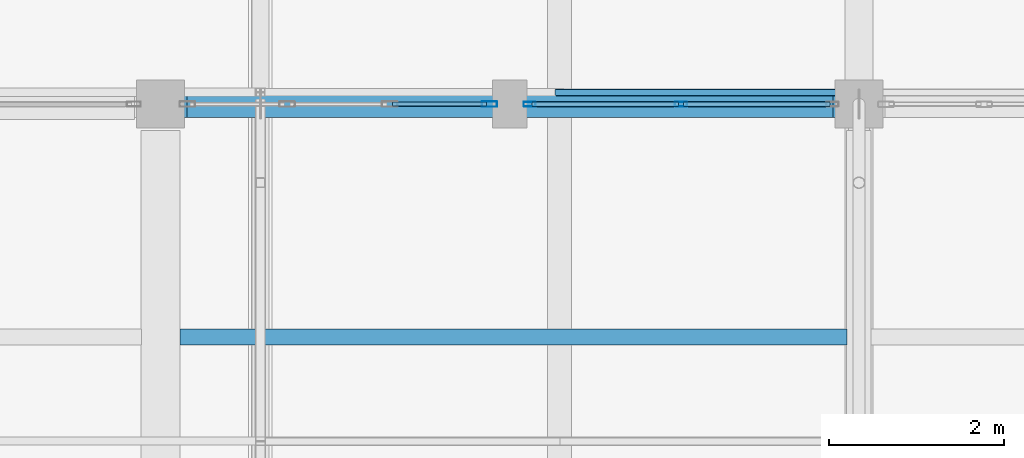
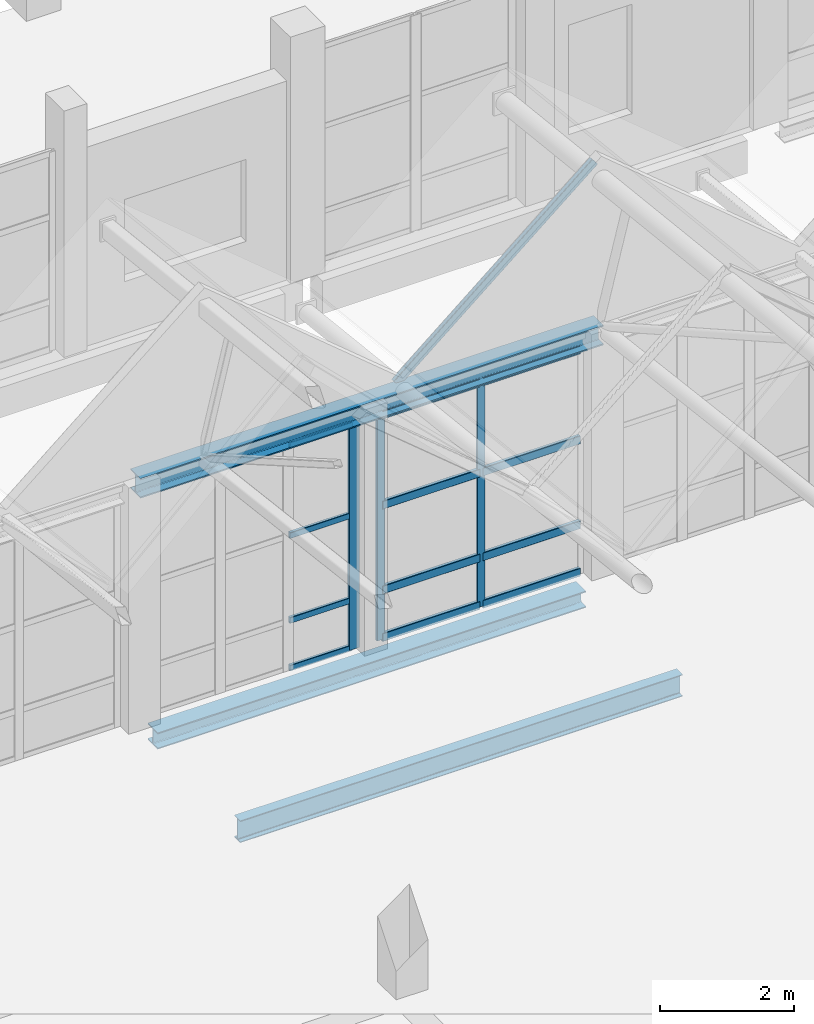
# One storey, part 79 of 183: 16 members, 3 beams, 2 elements without a shape of their own.
"""IFC4 building model written with IfcOpenShell, lengths in metres."""

from ifc_helpers import new_model, si_unit, direction, frame, origin, origin_2d, place, context, subcontext, project, spatial, hollow_rectangle, i_section, extrude, material, material_profile, profile_set, type_object, element, aggregate, save


model = new_model("IFC4")

# Units and contexts
model_context = context("Model", 3, precision=1e-05, world=origin(), true_north=direction((0.0, 1.0)))
body_context = subcontext(model_context, "Body", "Model", "MODEL_VIEW")
ifc_project = project(units=[si_unit("LENGTHUNIT", "METRE"), si_unit("AREAUNIT", "SQUARE_METRE"), si_unit("VOLUMEUNIT", "CUBIC_METRE"), si_unit("PLANEANGLEUNIT", "RADIAN"), si_unit("MASSUNIT", "GRAM", prefix="KILO")], contexts=[model_context])

# Site, building, storey
site_placement = place(None, origin())
site = spatial("IfcSite", under=ifc_project, at=site_placement, CompositionType="ELEMENT")
building_placement = place(site_placement, origin())
building = spatial("IfcBuilding", under=site, at=building_placement, Name="Luwemba Playhouse", CompositionType="ELEMENT")
storey_placement = place(building_placement, frame((0.0, 0.0, 4.800048828125)))
storey = spatial("IfcBuildingStorey", under=building, at=storey_placement, Name="L01", CompositionType="ELEMENT", Elevation=4.800048828125)

# Beams
ifc_material_1 = material(Name="Steel S355", Category="steel")
ifc_material_profile_1 = material_profile(ifc_material_1, i_section(OverallWidth=0.300048828125, OverallDepth=0.360107421875, WebThickness=0.012451171875, FlangeThickness=0.0224609375, FilletRadius=0.027099609375, at=origin_2d()))
ifc_profile_set_1 = profile_set([ifc_material_profile_1], Name="Steel S355")
beam_type_1 = type_object("IfcBeamType", Name="BM-SB09", PredefinedType="BEAM", material=ifc_profile_set_1)
beam_1_placement = place(storey_placement, frame((140.0, 27.0, 4.320068359375), z_axis=(1.0, 0.0, 0.0), x_axis=(0.0, 1.0, 0.0)))
element("IfcBeam", 1, at=beam_1_placement, inside=storey, type_object=beam_type_1, Name="RF-V5E eave ring beam 0299", PredefinedType="BEAM", context=body_context, shape_type="SweptSolid", body=[
    extrude(i_section(OverallWidth=0.300048828125, OverallDepth=0.360107421875, WebThickness=0.012451171875, FlangeThickness=0.0224609375, FilletRadius=0.027099609375, at=origin_2d()), origin(), (0.0, 0.0, 1.0), 8.0),
])
ifc_material_profile_2 = material_profile(ifc_material_1, i_section(OverallWidth=0.179931640625, OverallDepth=0.39990234375, WebThickness=0.008544921875, FlangeThickness=0.013427734375, FilletRadius=0.02099609375, at=origin_2d()))
ifc_profile_set_2 = profile_set([ifc_material_profile_2], Name="Steel S355")
beam_type_2 = type_object("IfcBeamType", Name="BM-SJ08", PredefinedType="JOIST", material=ifc_profile_set_2)
beam_2_placement = place(storey_placement, frame((140.220947265625, 24.333251953125, -0.449951171875), z_axis=(1.0, 0.0, 0.0), x_axis=(0.0, 1.0, 0.0)))
element("IfcBeam", 2, at=beam_2_placement, inside=storey, type_object=beam_type_2, Name="L01 composite floor joist 0321", PredefinedType="JOIST", context=body_context, shape_type="SweptSolid", body=[
    extrude(i_section(OverallWidth=0.179931640625, OverallDepth=0.39990234375, WebThickness=0.008544921875, FlangeThickness=0.013427734375, FilletRadius=0.02099609375, at=origin_2d()), origin(), (0.0, 0.0, 1.0), 7.64306640625),
])
ifc_material_profile_3 = material_profile(ifc_material_1, i_section(OverallWidth=0.300048828125, OverallDepth=0.300048828125, WebThickness=0.010986328125, FlangeThickness=0.01904296875, FilletRadius=0.027099609375, at=origin_2d()))
ifc_profile_set_3 = profile_set([ifc_material_profile_3], Name="Steel S355")
beam_type_3 = type_object("IfcBeamType", Name="BM-SSP1", PredefinedType="SPANDREL", material=ifc_profile_set_3)
beam_3_placement = place(storey_placement, frame((140.300048828125, 27.0, -0.400146484375), z_axis=(1.0, 0.0, 0.0), x_axis=(0.0, 1.0, 0.0)))
element("IfcBeam", 3, at=beam_3_placement, inside=storey, type_object=beam_type_3, Name="L01 grid girder 0539", PredefinedType="SPANDREL", context=body_context, shape_type="SweptSolid", body=[
    extrude(i_section(OverallWidth=0.300048828125, OverallDepth=0.300048828125, WebThickness=0.010986328125, FlangeThickness=0.01904296875, FilletRadius=0.027099609375, at=origin_2d()), origin(), (0.0, 0.0, 1.0), 7.39990234375),
])

# Curtain wall, member
ifc_material_2 = material(Name="Solar-control double glazing", Category="glass")
curtain_wall_type_1 = type_object("IfcCurtainWallType", Name="CW-CW121", PredefinedType="USERDEFINED", material=ifc_material_2)
curtain_wall_1_placement = place(storey_placement, origin())
curtain_wall_1 = element("IfcCurtainWall", 4, at=curtain_wall_1_placement, inside=storey, type_object=curtain_wall_type_1, Name="L01 V5E unitised curtain wall 159", ObjectType="UNITISED GLAZING", PredefinedType="USERDEFINED")
ifc_material_3 = material(Name="Aluminium 6063-T6", Category="aluminium")
ifc_material_profile_4 = material_profile(ifc_material_3, hollow_rectangle(XDim=0.06494140625, YDim=0.179931640625, WallThickness=0.00439453125, InnerFilletRadius=0.0068359375, OuterFilletRadius=0.01123046875, at=origin_2d()))
ifc_profile_set_4 = profile_set([ifc_material_profile_4], Name="Aluminium 6063-T6")
member_type_1 = type_object("IfcMemberType", Name="CWM-M2", PredefinedType="MULLION", material=ifc_profile_set_4)
member_1_placement = place(storey_placement, frame((143.767578125, 27.0, 0.0), z_axis=(0.0, 0.0, 1.0), x_axis=(0.0, 1.0, 0.0)))
member_1 = element("IfcMember", 5, at=member_1_placement, type_object=member_type_1, Name="CW121 mullion 4", PredefinedType="MULLION", context=body_context, shape_type="SweptSolid", body=[
    extrude(hollow_rectangle(XDim=0.06494140625, YDim=0.179931640625, WallThickness=0.00439453125, InnerFilletRadius=0.0068359375, OuterFilletRadius=0.01123046875, at=origin_2d()), origin(), (0.0, 0.0, 1.0), 4.125),
])

# Curtain wall, members
curtain_wall_type_2 = type_object("IfcCurtainWallType", Name="CW-CW122", PredefinedType="USERDEFINED", material=ifc_material_2)
curtain_wall_2_placement = place(storey_placement, origin())
curtain_wall_2 = element("IfcCurtainWall", 6, at=curtain_wall_2_placement, inside=storey, type_object=curtain_wall_type_2, Name="L01 V5E unitised curtain wall 160", ObjectType="UNITISED GLAZING", PredefinedType="USERDEFINED")
ifc_material_profile_5 = material_profile(ifc_material_3, hollow_rectangle(XDim=0.054931640625, YDim=0.139892578125, WallThickness=0.00390625, InnerFilletRadius=0.006103515625, OuterFilletRadius=0.010009765625, at=origin_2d()))
ifc_profile_set_5 = profile_set([ifc_material_profile_5], Name="Aluminium 6063-T6")
member_type_2 = type_object("IfcMemberType", Name="CWM-M3", PredefinedType="MULLION", material=ifc_profile_set_5)
member_2_placement = place(storey_placement, frame((144.2275390625, 27.0, 0.0), z_axis=(0.0, 0.0, 1.0), x_axis=(0.0, 1.0, 0.0)))
member_2 = element("IfcMember", 7, at=member_2_placement, type_object=member_type_2, Name="CW122 mullion 1", PredefinedType="MULLION", context=body_context, shape_type="SweptSolid", body=[
    extrude(hollow_rectangle(XDim=0.054931640625, YDim=0.139892578125, WallThickness=0.00390625, InnerFilletRadius=0.006103515625, OuterFilletRadius=0.010009765625, at=origin_2d()), origin(), (0.0, 0.0, 1.0), 4.125),
])
member_3_placement = place(storey_placement, frame((145.96240234375, 27.0, 0.0), z_axis=(0.0, 0.0, 1.0), x_axis=(0.0, 1.0, 0.0)))
member_3 = element("IfcMember", 8, at=member_3_placement, type_object=member_type_2, Name="CW122 mullion 2", PredefinedType="MULLION", context=body_context, shape_type="SweptSolid", body=[
    extrude(hollow_rectangle(XDim=0.054931640625, YDim=0.139892578125, WallThickness=0.00390625, InnerFilletRadius=0.006103515625, OuterFilletRadius=0.010009765625, at=origin_2d()), origin(), (0.0, 0.0, 1.0), 4.125),
])

# Member
ifc_material_profile_6 = material_profile(ifc_material_3, hollow_rectangle(XDim=0.054931640625, YDim=0.110107421875, WallThickness=0.00341796875, InnerFilletRadius=0.00537109375, OuterFilletRadius=0.0087890625, at=origin_2d()))
ifc_profile_set_6 = profile_set([ifc_material_profile_6], Name="Aluminium 6063-T6")
member_type_3 = type_object("IfcMemberType", Name="CWT-T2", PredefinedType="USERDEFINED", material=ifc_profile_set_6)
member_4_placement = place(storey_placement, frame((142.657470703125, 27.0, 0.02734375), z_axis=(1.0, 0.0, 0.0), x_axis=(0.0, 1.0, 0.0)))
member_4 = element("IfcMember", 9, at=member_4_placement, type_object=member_type_3, Name="CW121 transom 3.1", ObjectType="TRANSOM", PredefinedType="USERDEFINED", context=body_context, shape_type="SweptSolid", body=[
    extrude(hollow_rectangle(XDim=0.054931640625, YDim=0.110107421875, WallThickness=0.00341796875, InnerFilletRadius=0.00537109375, OuterFilletRadius=0.0087890625, at=origin_2d()), origin(), (0.0, 0.0, 1.0), 1.07763671875),
])

member_5_placement = place(storey_placement, frame((142.657470703125, 27.0, 0.89990234375), z_axis=(1.0, 0.0, 0.0), x_axis=(0.0, 1.0, 0.0)))
member_5 = element("IfcMember", 10, at=member_5_placement, type_object=member_type_3, Name="CW121 transom 3.2", ObjectType="TRANSOM", PredefinedType="USERDEFINED", context=body_context, shape_type="SweptSolid", body=[
    extrude(hollow_rectangle(XDim=0.054931640625, YDim=0.110107421875, WallThickness=0.00341796875, InnerFilletRadius=0.00537109375, OuterFilletRadius=0.0087890625, at=origin_2d()), origin(), (0.0, 0.0, 1.0), 1.07763671875),
])

member_6_placement = place(storey_placement, frame((142.657470703125, 27.0, 2.449951171875), z_axis=(1.0, 0.0, 0.0), x_axis=(0.0, 1.0, 0.0)))
member_6 = element("IfcMember", 11, at=member_6_placement, type_object=member_type_3, Name="CW121 transom 3.3", ObjectType="TRANSOM", PredefinedType="USERDEFINED", context=body_context, shape_type="SweptSolid", body=[
    extrude(hollow_rectangle(XDim=0.054931640625, YDim=0.110107421875, WallThickness=0.00341796875, InnerFilletRadius=0.00537109375, OuterFilletRadius=0.0087890625, at=origin_2d()), origin(), (0.0, 0.0, 1.0), 1.07763671875),
])

member_7_placement = place(storey_placement, frame((142.657470703125, 27.0, 4.097412109375), z_axis=(1.0, 0.0, 0.0), x_axis=(0.0, 1.0, 0.0)))
member_7 = element("IfcMember", 12, at=member_7_placement, type_object=member_type_3, Name="CW121 transom 3.4", ObjectType="TRANSOM", PredefinedType="USERDEFINED", context=body_context, shape_type="SweptSolid", body=[
    extrude(hollow_rectangle(XDim=0.054931640625, YDim=0.110107421875, WallThickness=0.00341796875, InnerFilletRadius=0.00537109375, OuterFilletRadius=0.0087890625, at=origin_2d()), origin(), (0.0, 0.0, 1.0), 1.07763671875),
])

aggregate(curtain_wall_1, [member_1, member_4, member_5, member_6, member_7])

ifc_material_profile_7 = material_profile(ifc_material_3, hollow_rectangle(XDim=0.06494140625, YDim=0.14990234375, WallThickness=0.00390625, InnerFilletRadius=0.006103515625, OuterFilletRadius=0.010009765625, at=origin_2d()))
ifc_profile_set_7 = profile_set([ifc_material_profile_7], Name="Aluminium 6063-T6")
member_type_4 = type_object("IfcMemberType", Name="CWT-T3", PredefinedType="USERDEFINED", material=ifc_profile_set_7)
member_8_placement = place(storey_placement, frame((144.2548828125, 27.0, 0.032470703125), z_axis=(1.0, 0.0, 0.0), x_axis=(0.0, 1.0, 0.0)))
member_8 = element("IfcMember", 13, at=member_8_placement, type_object=member_type_4, Name="CW122 transom 1.1", ObjectType="TRANSOM", PredefinedType="USERDEFINED", context=body_context, shape_type="SweptSolid", body=[
    extrude(hollow_rectangle(XDim=0.06494140625, YDim=0.14990234375, WallThickness=0.00390625, InnerFilletRadius=0.006103515625, OuterFilletRadius=0.010009765625, at=origin_2d()), origin(), (0.0, 0.0, 1.0), 1.68017578125),
])

member_9_placement = place(storey_placement, frame((144.2548828125, 27.0, 0.89990234375), z_axis=(1.0, 0.0, 0.0), x_axis=(0.0, 1.0, 0.0)))
member_9 = element("IfcMember", 14, at=member_9_placement, type_object=member_type_4, Name="CW122 transom 1.2", ObjectType="TRANSOM", PredefinedType="USERDEFINED", context=body_context, shape_type="SweptSolid", body=[
    extrude(hollow_rectangle(XDim=0.06494140625, YDim=0.14990234375, WallThickness=0.00390625, InnerFilletRadius=0.006103515625, OuterFilletRadius=0.010009765625, at=origin_2d()), origin(), (0.0, 0.0, 1.0), 1.68017578125),
])

member_10_placement = place(storey_placement, frame((144.2548828125, 27.0, 2.449951171875), z_axis=(1.0, 0.0, 0.0), x_axis=(0.0, 1.0, 0.0)))
member_10 = element("IfcMember", 15, at=member_10_placement, type_object=member_type_4, Name="CW122 transom 1.3", ObjectType="TRANSOM", PredefinedType="USERDEFINED", context=body_context, shape_type="SweptSolid", body=[
    extrude(hollow_rectangle(XDim=0.06494140625, YDim=0.14990234375, WallThickness=0.00390625, InnerFilletRadius=0.006103515625, OuterFilletRadius=0.010009765625, at=origin_2d()), origin(), (0.0, 0.0, 1.0), 1.68017578125),
])

member_11_placement = place(storey_placement, frame((144.2548828125, 27.0, 4.092529296875), z_axis=(1.0, 0.0, 0.0), x_axis=(0.0, 1.0, 0.0)))
member_11 = element("IfcMember", 16, at=member_11_placement, type_object=member_type_4, Name="CW122 transom 1.4", ObjectType="TRANSOM", PredefinedType="USERDEFINED", context=body_context, shape_type="SweptSolid", body=[
    extrude(hollow_rectangle(XDim=0.06494140625, YDim=0.14990234375, WallThickness=0.00390625, InnerFilletRadius=0.006103515625, OuterFilletRadius=0.010009765625, at=origin_2d()), origin(), (0.0, 0.0, 1.0), 1.68017578125),
])

member_12_placement = place(storey_placement, frame((145.989990234375, 27.0, 0.032470703125), z_axis=(1.0, 0.0, 0.0), x_axis=(0.0, 1.0, 0.0)))
member_12 = element("IfcMember", 17, at=member_12_placement, type_object=member_type_4, Name="CW122 transom 2.1", ObjectType="TRANSOM", PredefinedType="USERDEFINED", context=body_context, shape_type="SweptSolid", body=[
    extrude(hollow_rectangle(XDim=0.06494140625, YDim=0.14990234375, WallThickness=0.00390625, InnerFilletRadius=0.006103515625, OuterFilletRadius=0.010009765625, at=origin_2d()), origin(), (0.0, 0.0, 1.0), 1.679931640625),
])

member_13_placement = place(storey_placement, frame((145.989990234375, 27.0, 0.89990234375), z_axis=(1.0, 0.0, 0.0), x_axis=(0.0, 1.0, 0.0)))
member_13 = element("IfcMember", 18, at=member_13_placement, type_object=member_type_4, Name="CW122 transom 2.2", ObjectType="TRANSOM", PredefinedType="USERDEFINED", context=body_context, shape_type="SweptSolid", body=[
    extrude(hollow_rectangle(XDim=0.06494140625, YDim=0.14990234375, WallThickness=0.00390625, InnerFilletRadius=0.006103515625, OuterFilletRadius=0.010009765625, at=origin_2d()), origin(), (0.0, 0.0, 1.0), 1.679931640625),
])

member_14_placement = place(storey_placement, frame((145.989990234375, 27.0, 2.449951171875), z_axis=(1.0, 0.0, 0.0), x_axis=(0.0, 1.0, 0.0)))
member_14 = element("IfcMember", 19, at=member_14_placement, type_object=member_type_4, Name="CW122 transom 2.3", ObjectType="TRANSOM", PredefinedType="USERDEFINED", context=body_context, shape_type="SweptSolid", body=[
    extrude(hollow_rectangle(XDim=0.06494140625, YDim=0.14990234375, WallThickness=0.00390625, InnerFilletRadius=0.006103515625, OuterFilletRadius=0.010009765625, at=origin_2d()), origin(), (0.0, 0.0, 1.0), 1.679931640625),
])

member_15_placement = place(storey_placement, frame((145.989990234375, 27.0, 4.092529296875), z_axis=(1.0, 0.0, 0.0), x_axis=(0.0, 1.0, 0.0)))
member_15 = element("IfcMember", 20, at=member_15_placement, type_object=member_type_4, Name="CW122 transom 2.4", ObjectType="TRANSOM", PredefinedType="USERDEFINED", context=body_context, shape_type="SweptSolid", body=[
    extrude(hollow_rectangle(XDim=0.06494140625, YDim=0.14990234375, WallThickness=0.00390625, InnerFilletRadius=0.006103515625, OuterFilletRadius=0.010009765625, at=origin_2d()), origin(), (0.0, 0.0, 1.0), 1.679931640625),
])

aggregate(curtain_wall_2, [member_2, member_3, member_8, member_9, member_10, member_11, member_12, member_13, member_14, member_15])

ifc_material_profile_8 = material_profile(ifc_material_1, hollow_rectangle(XDim=0.080078125, YDim=0.159912109375, WallThickness=0.00634765625, InnerFilletRadius=0.009521484375, OuterFilletRadius=0.015869140625, at=origin_2d()))
ifc_profile_set_8 = profile_set([ifc_material_profile_8], Name="Steel S355")
member_type_5 = type_object("IfcMemberType", Name="MEM-MP03", PredefinedType="PURLIN", material=ifc_profile_set_8)
member_16_placement = place(storey_placement, frame((144.5712890625, 27.135986328125, 4.481201171875), z_axis=(0.768364765209, 0.0, 0.640012177685), x_axis=(0.0, 1.0, 0.0)))
element("IfcMember", 21, at=member_16_placement, inside=storey, type_object=member_type_5, Name="Pleated roof purlin 0570", PredefinedType="PURLIN", context=body_context, shape_type="SweptSolid", body=[
    extrude(hollow_rectangle(XDim=0.080078125, YDim=0.159912109375, WallThickness=0.00634765625, InnerFilletRadius=0.009521484375, OuterFilletRadius=0.015869140625, at=origin_2d()), origin(), (0.0, 0.0, 1.0), 4.46240234375),
])

save(model, "model.ifc")
